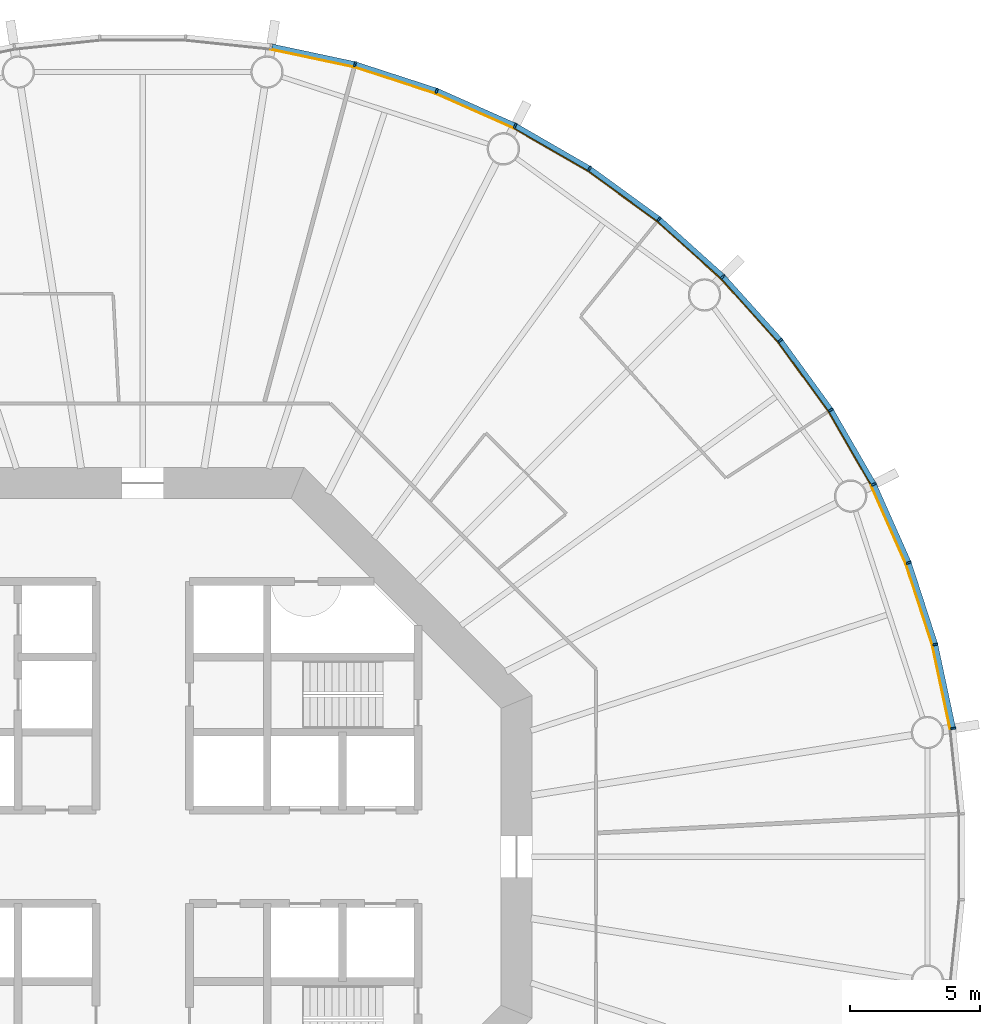
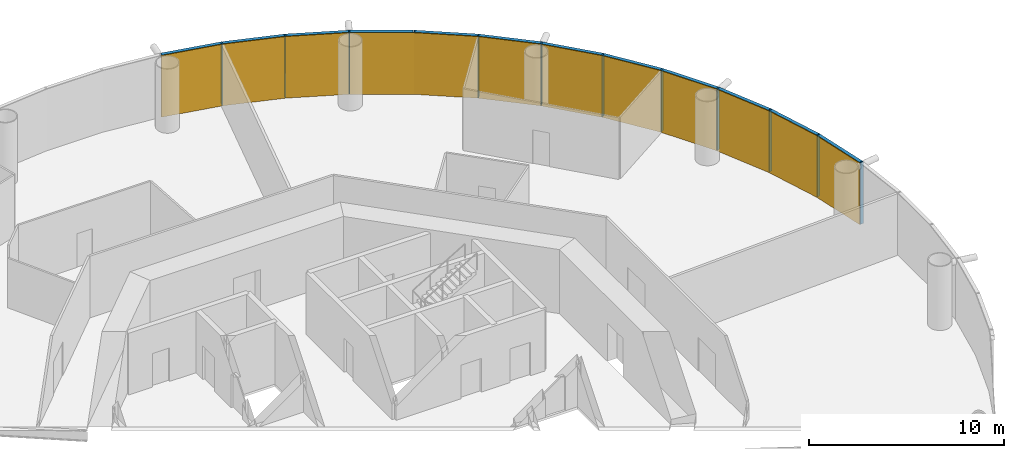
# One storey, part 12 of 13: 24 members, 4 curtain walls.
"""IFC4 building model written with IfcOpenShell, lengths in metres."""

from ifc_helpers import new_model, si_unit, direction, frame, origin, origin_2d, place, context, subcontext, project, spatial, polyline, rectangle, outline, extrude, material, layer, layer_set, material_profile, profile_set, type_object, element, aggregate, save


model = new_model("IFC4")

# Units and contexts
model_context = context("Model", 3, precision=1e-05, world=origin(), true_north=direction((0.0, 1.0)))
body_context = subcontext(model_context, "Body", "Model", "MODEL_VIEW")
ifc_project = project(units=[si_unit("LENGTHUNIT", "METRE"), si_unit("AREAUNIT", "SQUARE_METRE"), si_unit("VOLUMEUNIT", "CUBIC_METRE"), si_unit("PLANEANGLEUNIT", "RADIAN"), si_unit("MASSUNIT", "GRAM", prefix="KILO")], contexts=[model_context])

# Member
ifc_material_1 = material(Name="Anodised aluminium", Category="aluminium")
ifc_material_profile_1 = material_profile(ifc_material_1, rectangle(XDim=0.070068359375, YDim=0.199951171875, at=origin_2d()), Name="Mullion 70 x 200 mm anodised aluminium")
ifc_profile_set_1 = profile_set([ifc_material_profile_1], Name="Anodised aluminium")
member_type_1 = type_object("IfcMemberType", Name="Mullion 70 x 200 mm anodised aluminium", PredefinedType="MULLION", material=ifc_profile_set_1)
site_placement = place(None, origin())
building_placement = place(site_placement, origin())
storey_placement = place(building_placement, frame((0.0, 0.0, 92.0)))
member_1_placement = place(storey_placement, frame((121.2109375, 84.943359375, 0.0), z_axis=(0.0, 0.0, 1.0), x_axis=(-0.15643446504, 0.987688340595, 0.0)))
member_1 = element("IfcMember", 1, at=member_1_placement, type_object=member_type_1, Name="MULLION L20-00", PredefinedType="MULLION", context=body_context, shape_type="SweptSolid", body=[
    extrude(rectangle(XDim=0.070068359375, YDim=0.199951171875, at=origin_2d()), origin(), (0.0, 0.0, 1.0), 3.85009765625),
])

member_2_placement = place(storey_placement, frame((120.523193359375, 88.1787109375, 0.0), z_axis=(0.0, 0.0, 1.0), x_axis=(-0.258819045103, 0.965925826289, 0.0)))
member_2 = element("IfcMember", 2, at=member_2_placement, type_object=member_type_1, Name="MULLION L20-01", PredefinedType="MULLION", context=body_context, shape_type="SweptSolid", body=[
    extrude(rectangle(XDim=0.070068359375, YDim=0.199951171875, at=origin_2d()), origin(), (0.0, 0.0, 1.0), 3.85009765625),
])

member_3_placement = place(storey_placement, frame((119.501220703125, 91.324462890625, 0.0), z_axis=(0.0, 0.0, 1.0), x_axis=(-0.358367949545, 0.933580426497, 0.0)))
member_3 = element("IfcMember", 3, at=member_3_placement, type_object=member_type_1, Name="MULLION L20-02", PredefinedType="MULLION", context=body_context, shape_type="SweptSolid", body=[
    extrude(rectangle(XDim=0.070068359375, YDim=0.199951171875, at=origin_2d()), origin(), (0.0, 0.0, 1.0), 3.85009765625),
])

member_4_placement = place(storey_placement, frame((118.15576171875, 94.34619140625, 0.0), z_axis=(0.0, 0.0, 1.0), x_axis=(-0.45399049974, 0.891006524188, 0.0)))
member_4 = element("IfcMember", 4, at=member_4_placement, type_object=member_type_1, Name="MULLION L20-03", PredefinedType="MULLION", context=body_context, shape_type="SweptSolid", body=[
    extrude(rectangle(XDim=0.070068359375, YDim=0.199951171875, at=origin_2d()), origin(), (0.0, 0.0, 1.0), 3.85009765625),
])

member_5_placement = place(storey_placement, frame((116.501953125, 97.210693359375, 0.0), z_axis=(0.0, 0.0, 1.0), x_axis=(-0.544639035015, 0.838670567945, 0.0)))
member_5 = element("IfcMember", 5, at=member_5_placement, type_object=member_type_1, Name="MULLION L20-04", PredefinedType="MULLION", context=body_context, shape_type="SweptSolid", body=[
    extrude(rectangle(XDim=0.070068359375, YDim=0.199951171875, at=origin_2d()), origin(), (0.0, 0.0, 1.0), 3.85009765625),
])

member_6_placement = place(storey_placement, frame((114.557861328125, 99.886474609375, 0.0), z_axis=(0.0, 0.0, 1.0), x_axis=(-0.62932039105, 0.777145961457, 0.0)))
member_6 = element("IfcMember", 6, at=member_6_placement, type_object=member_type_1, Name="MULLION L20-05", PredefinedType="MULLION", context=body_context, shape_type="SweptSolid", body=[
    extrude(rectangle(XDim=0.070068359375, YDim=0.199951171875, at=origin_2d()), origin(), (0.0, 0.0, 1.0), 3.85009765625),
])

member_7_placement = place(storey_placement, frame((112.344482421875, 102.344482421875, 0.0), z_axis=(0.0, 0.0, 1.0), x_axis=(-0.707106781187, 0.707106781187, 0.0)))
member_7 = element("IfcMember", 7, at=member_7_placement, type_object=member_type_1, Name="MULLION L20-06", PredefinedType="MULLION", context=body_context, shape_type="SweptSolid", body=[
    extrude(rectangle(XDim=0.070068359375, YDim=0.199951171875, at=origin_2d()), origin(), (0.0, 0.0, 1.0), 3.85009765625),
])

member_8_placement = place(storey_placement, frame((109.886474609375, 104.557861328125, 0.0), z_axis=(0.0, 0.0, 1.0), x_axis=(-0.777145961457, 0.62932039105, 0.0)))
member_8 = element("IfcMember", 8, at=member_8_placement, type_object=member_type_1, Name="MULLION L20-07", PredefinedType="MULLION", context=body_context, shape_type="SweptSolid", body=[
    extrude(rectangle(XDim=0.070068359375, YDim=0.199951171875, at=origin_2d()), origin(), (0.0, 0.0, 1.0), 3.85009765625),
])

member_9_placement = place(storey_placement, frame((107.210693359375, 106.501953125, 0.0), z_axis=(0.0, 0.0, 1.0), x_axis=(-0.838670567945, 0.544639035015, 0.0)))
member_9 = element("IfcMember", 9, at=member_9_placement, type_object=member_type_1, Name="MULLION L20-08", PredefinedType="MULLION", context=body_context, shape_type="SweptSolid", body=[
    extrude(rectangle(XDim=0.070068359375, YDim=0.199951171875, at=origin_2d()), origin(), (0.0, 0.0, 1.0), 3.85009765625),
])

member_10_placement = place(storey_placement, frame((104.34619140625, 108.15576171875, 0.0), z_axis=(0.0, 0.0, 1.0), x_axis=(-0.891006524188, 0.45399049974, 0.0)))
member_10 = element("IfcMember", 10, at=member_10_placement, type_object=member_type_1, Name="MULLION L20-09", PredefinedType="MULLION", context=body_context, shape_type="SweptSolid", body=[
    extrude(rectangle(XDim=0.070068359375, YDim=0.199951171875, at=origin_2d()), origin(), (0.0, 0.0, 1.0), 3.85009765625),
])

member_11_placement = place(storey_placement, frame((101.324462890625, 109.501220703125, 0.0), z_axis=(0.0, 0.0, 1.0), x_axis=(-0.933580426497, 0.358367949545, 0.0)))
member_11 = element("IfcMember", 11, at=member_11_placement, type_object=member_type_1, Name="MULLION L20-10", PredefinedType="MULLION", context=body_context, shape_type="SweptSolid", body=[
    extrude(rectangle(XDim=0.070068359375, YDim=0.199951171875, at=origin_2d()), origin(), (0.0, 0.0, 1.0), 3.85009765625),
])

member_12_placement = place(storey_placement, frame((98.1787109375, 110.523193359375, 0.0), z_axis=(0.0, 0.0, 1.0), x_axis=(-0.965925826289, 0.258819045103, 0.0)))
member_12 = element("IfcMember", 12, at=member_12_placement, type_object=member_type_1, Name="MULLION L20-11", PredefinedType="MULLION", context=body_context, shape_type="SweptSolid", body=[
    extrude(rectangle(XDim=0.070068359375, YDim=0.199951171875, at=origin_2d()), origin(), (0.0, 0.0, 1.0), 3.85009765625),
])

ifc_material_2 = material(Name="Anodised aluminium", Category="aluminium")
ifc_material_profile_2 = material_profile(ifc_material_2, rectangle(XDim=0.199951171875, YDim=0.18994140625, at=origin_2d()), Name="Transom 190 x 200 mm anodised aluminium")
ifc_profile_set_2 = profile_set([ifc_material_profile_2], Name="Anodised aluminium")
member_type_2 = type_object("IfcMemberType", Name="Transom 190 x 200 mm anodised aluminium", PredefinedType="USERDEFINED", material=ifc_profile_set_2)
member_13_placement = place(storey_placement, frame((121.20263671875, 84.982666015625, 3.7548828125), z_axis=(-0.207885898771, 0.978153082647, 0.0), x_axis=(-0.978153082647, -0.207885898771, 0.0)))
member_13 = element("IfcMember", 13, at=member_13_placement, type_object=member_type_2, Name="TRANSOM L20-00", ObjectType="TRANSOM", PredefinedType="USERDEFINED", context=body_context, shape_type="SweptSolid", body=[
    extrude(rectangle(XDim=0.199951171875, YDim=0.18994140625, at=origin_2d()), origin(), (0.0, 0.0, 1.0), 3.227294921875),
])

member_14_placement = place(storey_placement, frame((120.510986328125, 88.217041015625, 3.7548828125), z_axis=(-0.309046726844, 0.951046855117, 0.0), x_axis=(-0.951046855117, -0.309046726844, 0.0)))
member_14 = element("IfcMember", 14, at=member_14_placement, type_object=member_type_2, Name="TRANSOM L20-01", ObjectType="TRANSOM", PredefinedType="USERDEFINED", context=body_context, shape_type="SweptSolid", body=[
    extrude(rectangle(XDim=0.199951171875, YDim=0.18994140625, at=origin_2d()), origin(), (0.0, 0.0, 1.0), 3.22705078125),
])

member_15_placement = place(storey_placement, frame((119.48486328125, 91.361328125, 3.7548828125), z_axis=(-0.406728032322, 0.913549291349, 0.0), x_axis=(-0.913549291349, -0.406728032322, 0.0)))
member_15 = element("IfcMember", 15, at=member_15_placement, type_object=member_type_2, Name="TRANSOM L20-02", ObjectType="TRANSOM", PredefinedType="USERDEFINED", context=body_context, shape_type="SweptSolid", body=[
    extrude(rectangle(XDim=0.199951171875, YDim=0.18994140625, at=origin_2d()), origin(), (0.0, 0.0, 1.0), 3.22705078125),
])

member_16_placement = place(storey_placement, frame((118.1357421875, 94.381103515625, 3.7548828125), z_axis=(-0.500004055213, 0.866023062494, 0.0), x_axis=(-0.866023062494, -0.500004055213, 0.0)))
member_16 = element("IfcMember", 16, at=member_16_placement, type_object=member_type_2, Name="TRANSOM L20-03", ObjectType="TRANSOM", PredefinedType="USERDEFINED", context=body_context, shape_type="SweptSolid", body=[
    extrude(rectangle(XDim=0.199951171875, YDim=0.18994140625, at=origin_2d()), origin(), (0.0, 0.0, 1.0), 3.22705078125),
])

member_17_placement = place(storey_placement, frame((116.478515625, 97.2431640625, 3.7548828125), z_axis=(-0.587802790201, 0.809004252048, 0.0), x_axis=(-0.809004252048, -0.587802790201, 0.0)))
member_17 = element("IfcMember", 17, at=member_17_placement, type_object=member_type_2, Name="TRANSOM L20-04", ObjectType="TRANSOM", PredefinedType="USERDEFINED", context=body_context, shape_type="SweptSolid", body=[
    extrude(rectangle(XDim=0.199951171875, YDim=0.18994140625, at=origin_2d()), origin(), (0.0, 0.0, 1.0), 3.227294921875),
])

member_18_placement = place(storey_placement, frame((114.531005859375, 99.91650390625, 3.7548828125), z_axis=(-0.669144438484, 0.743132370743, 0.0), x_axis=(-0.743132370743, -0.669144438484, 0.0)))
member_18 = element("IfcMember", 18, at=member_18_placement, type_object=member_type_2, Name="TRANSOM L20-05", ObjectType="TRANSOM", PredefinedType="USERDEFINED", context=body_context, shape_type="SweptSolid", body=[
    extrude(rectangle(XDim=0.199951171875, YDim=0.18994140625, at=origin_2d()), origin(), (0.0, 0.0, 1.0), 3.22705078125),
])

member_19_placement = place(storey_placement, frame((112.314697265625, 102.37158203125, 3.7548828125), z_axis=(-0.743132370743, 0.669144438484, 0.0), x_axis=(-0.669144438484, -0.743132370743, 0.0)))
member_19 = element("IfcMember", 19, at=member_19_placement, type_object=member_type_2, Name="TRANSOM L20-06", ObjectType="TRANSOM", PredefinedType="USERDEFINED", context=body_context, shape_type="SweptSolid", body=[
    extrude(rectangle(XDim=0.199951171875, YDim=0.18994140625, at=origin_2d()), origin(), (0.0, 0.0, 1.0), 3.22705078125),
])

member_20_placement = place(storey_placement, frame((109.85400390625, 104.58154296875, 3.7548828125), z_axis=(-0.809004252048, 0.587802790201, 0.0), x_axis=(-0.587802790201, -0.809004252048, 0.0)))
member_20 = element("IfcMember", 20, at=member_20_placement, type_object=member_type_2, Name="TRANSOM L20-07", ObjectType="TRANSOM", PredefinedType="USERDEFINED", context=body_context, shape_type="SweptSolid", body=[
    extrude(rectangle(XDim=0.199951171875, YDim=0.18994140625, at=origin_2d()), origin(), (0.0, 0.0, 1.0), 3.227294921875),
])

member_21_placement = place(storey_placement, frame((107.17578125, 106.522216796875, 3.7548828125), z_axis=(-0.866023062494, 0.500004055213, 0.0), x_axis=(-0.500004055213, -0.866023062494, 0.0)))
member_21 = element("IfcMember", 21, at=member_21_placement, type_object=member_type_2, Name="TRANSOM L20-08", ObjectType="TRANSOM", PredefinedType="USERDEFINED", context=body_context, shape_type="SweptSolid", body=[
    extrude(rectangle(XDim=0.199951171875, YDim=0.18994140625, at=origin_2d()), origin(), (0.0, 0.0, 1.0), 3.22705078125),
])

member_22_placement = place(storey_placement, frame((104.309326171875, 108.17236328125, 3.7548828125), z_axis=(-0.913549291349, 0.406728032322, 0.0), x_axis=(-0.406728032322, -0.913549291349, 0.0)))
member_22 = element("IfcMember", 22, at=member_22_placement, type_object=member_type_2, Name="TRANSOM L20-09", ObjectType="TRANSOM", PredefinedType="USERDEFINED", context=body_context, shape_type="SweptSolid", body=[
    extrude(rectangle(XDim=0.199951171875, YDim=0.18994140625, at=origin_2d()), origin(), (0.0, 0.0, 1.0), 3.22705078125),
])

member_23_placement = place(storey_placement, frame((101.2861328125, 109.513671875, 3.7548828125), z_axis=(-0.951046855117, 0.309046726844, 0.0), x_axis=(-0.309046726844, -0.951046855117, 0.0)))
member_23 = element("IfcMember", 23, at=member_23_placement, type_object=member_type_2, Name="TRANSOM L20-10", ObjectType="TRANSOM", PredefinedType="USERDEFINED", context=body_context, shape_type="SweptSolid", body=[
    extrude(rectangle(XDim=0.199951171875, YDim=0.18994140625, at=origin_2d()), origin(), (0.0, 0.0, 1.0), 3.22705078125),
])

member_24_placement = place(storey_placement, frame((98.139404296875, 110.53173828125, 3.7548828125), z_axis=(-0.978153082647, 0.207885898771, 0.0), x_axis=(-0.207885898771, -0.978153082647, 0.0)))
member_24 = element("IfcMember", 24, at=member_24_placement, type_object=member_type_2, Name="TRANSOM L20-11", ObjectType="TRANSOM", PredefinedType="USERDEFINED", context=body_context, shape_type="SweptSolid", body=[
    extrude(rectangle(XDim=0.199951171875, YDim=0.18994140625, at=origin_2d()), origin(), (0.0, 0.0, 1.0), 3.227294921875),
])

# Site, building, storey
site = spatial("IfcSite", under=ifc_project, at=site_placement, CompositionType="ELEMENT")
building = spatial("IfcBuilding", under=site, at=building_placement, Name="Entoto Ring Tower", CompositionType="ELEMENT")
storey = spatial("IfcBuildingStorey", under=building, at=storey_placement, Name="L20", CompositionType="ELEMENT", Elevation=92.0)

# Curtain wall
ifc_material_3 = material(Name="Clear low-iron glass", Category="glass")
ifc_layer = layer(ifc_material_3, 0.035888671875)
ifc_layer_set = layer_set([ifc_layer], Name="Clear low-iron glass")
curtain_wall_type = type_object("IfcCurtainWallType", Name="Curtain wall system CW2 glazing 36 mm", PredefinedType="NOTDEFINED", material=ifc_layer_set)
curtain_wall_1_placement = place(storey_placement, origin())
curtain_wall_1 = element("IfcCurtainWall", 25, at=curtain_wall_1_placement, inside=storey, type_object=curtain_wall_type, Name="CW2 L20-01", PredefinedType="NOTDEFINED", context=body_context, shape_type="SweptSolid", body=[
    extrude(outline(polyline([(121.1123046875, 84.927734375), (120.4267578125, 88.15283203125), (119.40771484375, 91.28857421875), (118.066650390625, 94.30078125), (118.03466796875, 94.284423828125), (119.3740234375, 91.275634765625), (120.391845703125, 88.1435546875), (121.07666015625, 84.922119140625), (121.1123046875, 84.927734375)])), origin(), (0.0, 0.0, 1.0), 3.85009765625),
])

aggregate(curtain_wall_1, [member_1, member_2, member_3, member_13, member_14, member_15])

curtain_wall_2_placement = place(storey_placement, origin())
curtain_wall_2 = element("IfcCurtainWall", 26, at=curtain_wall_2_placement, inside=storey, type_object=curtain_wall_type, Name="CW2 L20-02", PredefinedType="NOTDEFINED", context=body_context, shape_type="SweptSolid", body=[
    extrude(outline(polyline([(118.066650390625, 94.30078125), (116.418212890625, 97.15625), (114.47998046875, 99.823486328125), (112.27392578125, 102.27392578125), (112.248291015625, 102.248291015625), (114.4521484375, 99.801025390625), (116.387939453125, 97.136474609375), (118.03466796875, 94.284423828125), (118.066650390625, 94.30078125)])), origin(), (0.0, 0.0, 1.0), 3.85009765625),
])

aggregate(curtain_wall_2, [member_4, member_5, member_6, member_16, member_17, member_18])

curtain_wall_3_placement = place(storey_placement, origin())
curtain_wall_3 = element("IfcCurtainWall", 27, at=curtain_wall_3_placement, inside=storey, type_object=curtain_wall_type, Name="CW2 L20-03", PredefinedType="NOTDEFINED", context=body_context, shape_type="SweptSolid", body=[
    extrude(outline(polyline([(112.27392578125, 102.27392578125), (109.823486328125, 104.47998046875), (107.15625, 106.418212890625), (104.30078125, 108.066650390625), (104.284423828125, 108.03466796875), (107.136474609375, 106.387939453125), (109.801025390625, 104.4521484375), (112.248291015625, 102.248291015625), (112.27392578125, 102.27392578125)])), origin(), (0.0, 0.0, 1.0), 3.85009765625),
])

aggregate(curtain_wall_3, [member_7, member_8, member_9, member_19, member_20, member_21])

curtain_wall_4_placement = place(storey_placement, origin())
curtain_wall_4 = element("IfcCurtainWall", 28, at=curtain_wall_4_placement, inside=storey, type_object=curtain_wall_type, Name="CW2 L20-04", PredefinedType="NOTDEFINED", context=body_context, shape_type="SweptSolid", body=[
    extrude(outline(polyline([(104.30078125, 108.066650390625), (101.28857421875, 109.40771484375), (98.15283203125, 110.4267578125), (94.927734375, 111.1123046875), (94.922119140625, 111.07666015625), (98.1435546875, 110.391845703125), (101.275634765625, 109.3740234375), (104.284423828125, 108.03466796875), (104.30078125, 108.066650390625)])), origin(), (0.0, 0.0, 1.0), 3.85009765625),
])

aggregate(curtain_wall_4, [member_10, member_11, member_12, member_22, member_23, member_24])

save(model, "model.ifc")
